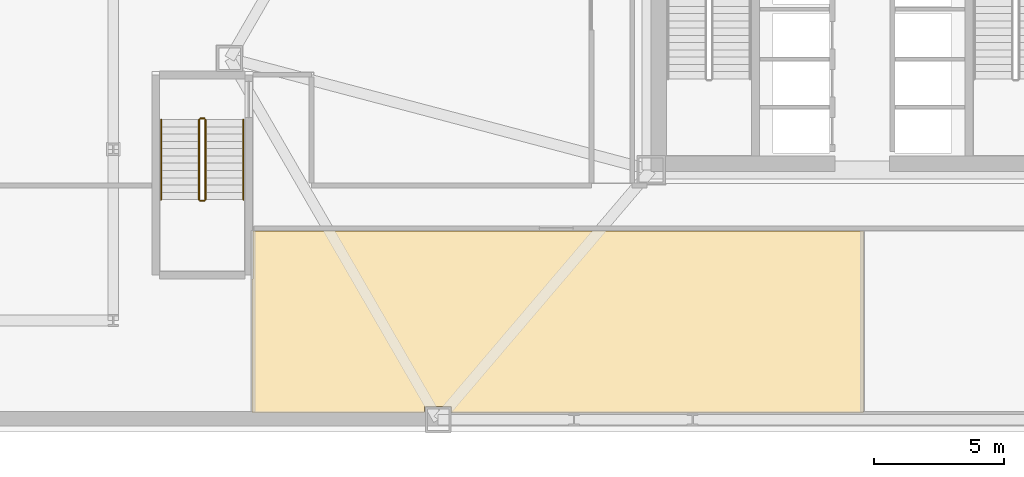
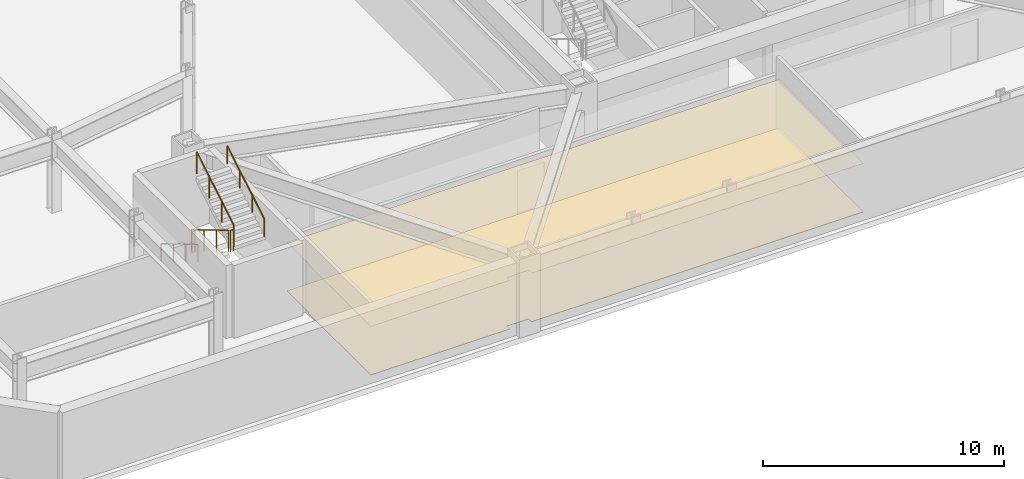
# One storey, part 7 of 10: 6 railings, 2 coverings.
"""IFC4 building model written with IfcOpenShell, lengths in metres."""

from ifc_helpers import new_model, si_unit, direction, frame, origin, origin_2d, place, context, subcontext, project, spatial, polyline, circle, outline, extrude, material, layer, layer_set, type_object, element, save


model = new_model("IFC4")

# Units and contexts
model_context = context("Model", 3, precision=1e-05, world=origin(), true_north=direction((0.0, 1.0)))
body_context = subcontext(model_context, "Body", "Model", "MODEL_VIEW")
ifc_project = project(units=[si_unit("LENGTHUNIT", "METRE"), si_unit("AREAUNIT", "SQUARE_METRE"), si_unit("VOLUMEUNIT", "CUBIC_METRE"), si_unit("PLANEANGLEUNIT", "RADIAN"), si_unit("MASSUNIT", "GRAM", prefix="KILO")], contexts=[model_context])

# Site, building, storey
site_placement = place(None, origin())
site = spatial("IfcSite", under=ifc_project, at=site_placement, CompositionType="ELEMENT")
building_placement = place(site_placement, origin())
building = spatial("IfcBuilding", under=site, at=building_placement, Name="Oramaril Tower", CompositionType="ELEMENT")
storey_placement = place(building_placement, frame((0.0, 0.0, -4.0)))
storey = spatial("IfcBuildingStorey", under=building, at=storey_placement, Name="B01", CompositionType="ELEMENT", Elevation=-4.0)

# Coverings
ifc_material_1 = material(Name="Mineral Fibre Acoustic Ceiling")
ifc_layer_1 = layer(ifc_material_1, 0.02001953125)
ifc_layer_set_1 = layer_set([ifc_layer_1], Name="CVT-CEIL")
covering_type_1 = type_object("IfcCoveringType", Name="CVT-CEIL", PredefinedType="CEILING", material=ifc_layer_set_1)
covering_1_placement = place(storey_placement, frame((0.0, 0.0, 2.4619140625)))
element("IfcCovering", 1, at=covering_1_placement, inside=storey, type_object=covering_type_1, Name="B01 Acoustic Suspended Ceiling 5", PredefinedType="CEILING", context=body_context, shape_type="SweptSolid", body=[
    extrude(outline(polyline([(14.0, 6.800048828125), (14.0, 8.64990234375), (37.5419921875, 8.64990234375), (37.5419921875, 1.637939453125), (21.657958984375, 1.637939453125), (21.657958984375, 1.8798828125), (20.617919921875, 1.8798828125), (20.617919921875, 1.637939453125), (13.9580078125, 1.637939453125), (13.9580078125, 6.800048828125), (14.0, 6.800048828125)])), origin(), (0.0, 0.0, 1.0), 0.02001953125),
])
ifc_material_2 = material(Name="Honed Quartzite Stone Flooring", Category="masonry")
ifc_layer_2 = layer(ifc_material_2, 0.02490234375)
ifc_layer_set_2 = layer_set([ifc_layer_2], Name="CVT-FLR")
covering_type_2 = type_object("IfcCoveringType", Name="CVT-FLR", PredefinedType="FLOORING", material=ifc_layer_set_2)
covering_2_placement = place(storey_placement, origin())
element("IfcCovering", 2, at=covering_2_placement, inside=storey, type_object=covering_type_2, Name="B01 Honed Stone Floor Finish 5", PredefinedType="FLOORING", context=body_context, shape_type="SweptSolid", body=[
    extrude(outline(polyline([(14.0, 6.800048828125), (14.0, 8.64990234375), (37.5419921875, 8.64990234375), (37.5419921875, 1.637939453125), (21.657958984375, 1.637939453125), (21.657958984375, 1.8798828125), (20.617919921875, 1.8798828125), (20.617919921875, 1.637939453125), (13.9580078125, 1.637939453125), (13.9580078125, 6.800048828125), (14.0, 6.800048828125)])), origin(), (0.0, 0.0, 1.0), 0.02490234375),
])

# Railings
ifc_material_3 = material(Name="Stainless Steel 316L", Category="steel")
railing_type_1 = type_object("IfcRailingType", Name="RLT-GRD", PredefinedType="GUARDRAIL", material=ifc_material_3)
railing_1_placement = place(storey_placement, frame((11.909912109375, 12.93994140625, 0.166748046875)))
element("IfcRailing", 3, at=railing_1_placement, inside=storey, type_object=railing_type_1, Name="B01 ST-3 stair guard 1", PredefinedType="GUARDRAIL", context=body_context, shape_type="SweptSolid", body=[
    extrude(circle(Radius=0.02392578125, at=origin_2d()), frame((0.0, 0.0, 1.076171875), z_axis=(0.0, -0.859290745958, 0.51148745235), x_axis=(1.0, 0.0, 0.0)), (0.0, 0.0, 1.0), 3.584228515625),
    extrude(circle(Radius=0.02099609375, at=origin_2d()), origin(), (0.0, 0.0, 1.0), 1.052001953125),
    extrude(circle(Radius=0.02099609375, at=origin_2d()), frame((0.0, -1.026611328125, 0.611083984375)), (0.0, 0.0, 1.0), 1.052001953125),
    extrude(circle(Radius=0.02099609375, at=origin_2d()), frame((0.0, -2.05322265625, 1.22216796875)), (0.0, 0.0, 1.0), 1.052001953125),
    extrude(circle(Radius=0.02099609375, at=origin_2d()), frame((0.0, -3.079833984375, 1.833251953125)), (0.0, 0.0, 1.0), 1.052001953125),
])
railing_2_placement = place(storey_placement, frame((11.9599609375, 9.81005859375, 2.0)))
element("IfcRailing", 4, at=railing_2_placement, inside=storey, type_object=railing_type_1, Name="B01 ST-3 stair guard 2", PredefinedType="GUARDRAIL", context=body_context, shape_type="SweptSolid", body=[
    extrude(circle(Radius=0.02392578125, at=origin_2d()), frame((0.0, 0.0, 1.076171875), z_axis=(1.0, 0.0, 0.0), x_axis=(0.0, 1.0, 0.0)), (0.0, 0.0, 1.0), 0.150146484375),
    extrude(circle(Radius=0.02099609375, at=origin_2d()), origin(), (0.0, 0.0, 1.0), 1.052001953125),
    extrude(circle(Radius=0.02099609375, at=origin_2d()), frame((0.150146484375, 0.0, 0.0)), (0.0, 0.0, 1.0), 1.052001953125),
])
railing_3_placement = place(storey_placement, frame((12.159912109375, 9.860107421875, 2.166748046875)))
element("IfcRailing", 5, at=railing_3_placement, inside=storey, type_object=railing_type_1, Name="B01 ST-3 stair guard 3", PredefinedType="GUARDRAIL", context=body_context, shape_type="SweptSolid", body=[
    extrude(circle(Radius=0.02392578125, at=origin_2d()), frame((0.0, 0.0, 1.076171875), z_axis=(0.0, 0.859290745958, 0.51148745235), x_axis=(-1.0, 0.0, 0.0)), (0.0, 0.0, 1.0), 3.584228515625),
    extrude(circle(Radius=0.02099609375, at=origin_2d()), origin(), (0.0, 0.0, 1.0), 1.052001953125),
    extrude(circle(Radius=0.02099609375, at=origin_2d()), frame((0.0, 1.026611328125, 0.611083984375)), (0.0, 0.0, 1.0), 1.052001953125),
    extrude(circle(Radius=0.02099609375, at=origin_2d()), frame((0.0, 2.05322265625, 1.22216796875)), (0.0, 0.0, 1.0), 1.052001953125),
    extrude(circle(Radius=0.02099609375, at=origin_2d()), frame((0.0, 3.079833984375, 1.833251953125)), (0.0, 0.0, 1.0), 1.052001953125),
])
railing_4_placement = place(storey_placement, frame((11.9599609375, 12.989990234375, 0.0)))
element("IfcRailing", 6, at=railing_4_placement, inside=storey, type_object=railing_type_1, Name="B01 ST-3 stair guard 4", PredefinedType="GUARDRAIL", context=body_context, shape_type="SweptSolid", body=[
    extrude(circle(Radius=0.02392578125, at=origin_2d()), frame((0.0, 0.0, 1.076171875), z_axis=(1.0, 0.0, 0.0), x_axis=(0.0, 1.0, 0.0)), (0.0, 0.0, 1.0), 0.150146484375),
    extrude(circle(Radius=0.02099609375, at=origin_2d()), origin(), (0.0, 0.0, 1.0), 1.052001953125),
    extrude(circle(Radius=0.02099609375, at=origin_2d()), frame((0.150146484375, 0.0, 0.0)), (0.0, 0.0, 1.0), 1.052001953125),
])
ifc_material_4 = material(Name="Stainless Steel 316L", Category="steel")
railing_type_2 = type_object("IfcRailingType", Name="RLT-HND", PredefinedType="HANDRAIL", material=ifc_material_4)
railing_5_placement = place(storey_placement, frame((10.449951171875, 12.93994140625, 0.166748046875)))
element("IfcRailing", 7, at=railing_5_placement, inside=storey, type_object=railing_type_2, Name="B01 ST-3 stair handrail 1", PredefinedType="HANDRAIL", context=body_context, shape_type="SweptSolid", body=[
    extrude(circle(Radius=0.02392578125, at=origin_2d()), frame((0.0, 0.0, 0.8759765625), z_axis=(0.0, -0.859290745958, 0.51148745235), x_axis=(1.0, 0.0, 0.0)), (0.0, 0.0, 1.0), 3.584228515625),
    extrude(circle(Radius=0.02099609375, at=origin_2d()), origin(), (0.0, 0.0, 1.0), 0.851806640625),
    extrude(circle(Radius=0.02099609375, at=origin_2d()), frame((0.0, -1.026611328125, 0.611083984375)), (0.0, 0.0, 1.0), 0.851806640625),
    extrude(circle(Radius=0.02099609375, at=origin_2d()), frame((0.0, -2.05322265625, 1.22216796875)), (0.0, 0.0, 1.0), 0.851806640625),
    extrude(circle(Radius=0.02099609375, at=origin_2d()), frame((0.0, -3.079833984375, 1.833251953125)), (0.0, 0.0, 1.0), 0.851806640625),
])
railing_6_placement = place(storey_placement, frame((13.6201171875, 9.860107421875, 2.166748046875)))
element("IfcRailing", 8, at=railing_6_placement, inside=storey, type_object=railing_type_2, Name="B01 ST-3 stair handrail 2", PredefinedType="HANDRAIL", context=body_context, shape_type="SweptSolid", body=[
    extrude(circle(Radius=0.02392578125, at=origin_2d()), frame((0.0, 0.0, 0.8759765625), z_axis=(0.0, 0.859290745958, 0.51148745235), x_axis=(-1.0, 0.0, 0.0)), (0.0, 0.0, 1.0), 3.584228515625),
    extrude(circle(Radius=0.02099609375, at=origin_2d()), origin(), (0.0, 0.0, 1.0), 0.851806640625),
    extrude(circle(Radius=0.02099609375, at=origin_2d()), frame((0.0, 1.026611328125, 0.611083984375)), (0.0, 0.0, 1.0), 0.851806640625),
    extrude(circle(Radius=0.02099609375, at=origin_2d()), frame((0.0, 2.05322265625, 1.22216796875)), (0.0, 0.0, 1.0), 0.851806640625),
    extrude(circle(Radius=0.02099609375, at=origin_2d()), frame((0.0, 3.079833984375, 1.833251953125)), (0.0, 0.0, 1.0), 0.851806640625),
])

save(model, "model.ifc")
